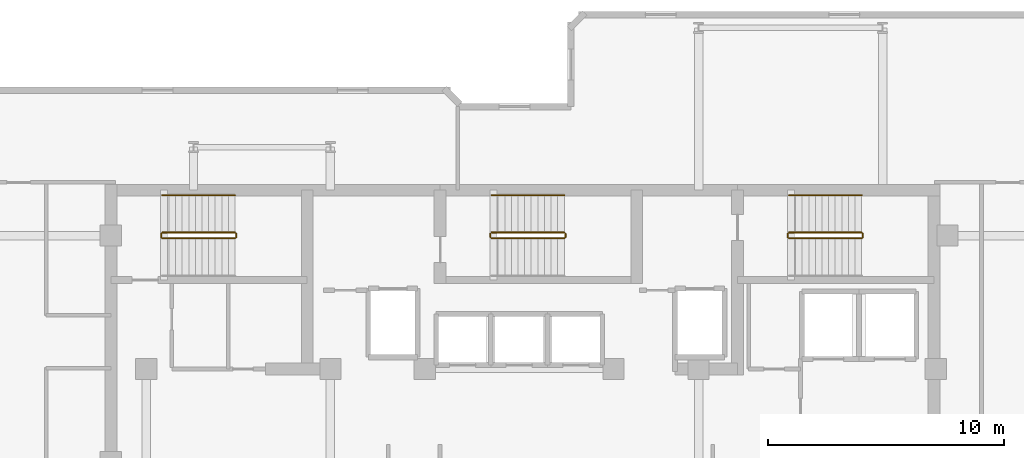
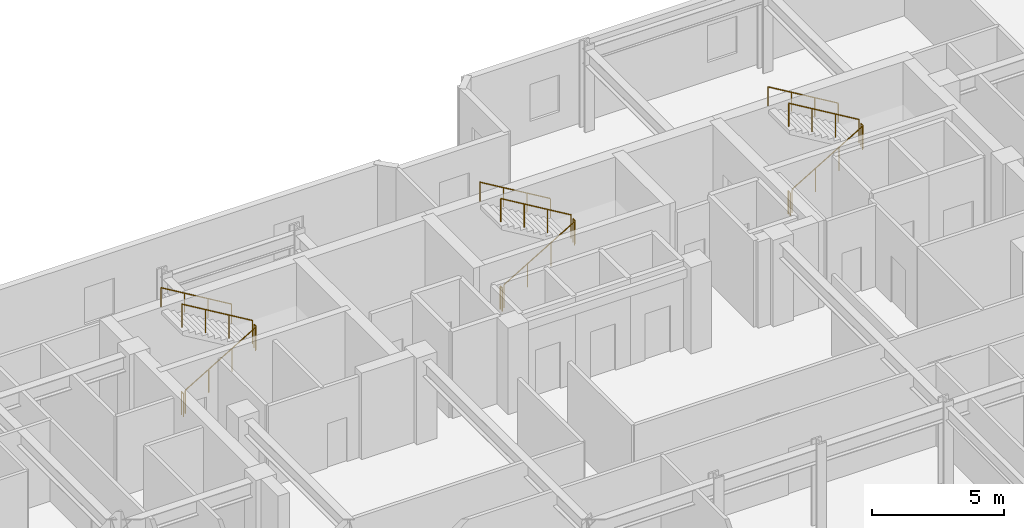
# One storey, part 10 of 10: 15 railings.
"""IFC4 building model written with IfcOpenShell, lengths in metres."""

from ifc_helpers import new_model, si_unit, direction, frame, origin, origin_2d, place, context, subcontext, project, spatial, circle, extrude, material, type_object, element, save


model = new_model("IFC4")

# Units and contexts
model_context = context("Model", 3, precision=1e-05, world=origin(), true_north=direction((0.0, 1.0)))
body_context = subcontext(model_context, "Body", "Model", "MODEL_VIEW")
ifc_project = project(units=[si_unit("LENGTHUNIT", "METRE"), si_unit("AREAUNIT", "SQUARE_METRE"), si_unit("VOLUMEUNIT", "CUBIC_METRE"), si_unit("PLANEANGLEUNIT", "RADIAN"), si_unit("MASSUNIT", "GRAM", prefix="KILO")], contexts=[model_context])

# Site, building, storey
site_placement = place(None, origin())
site = spatial("IfcSite", under=ifc_project, at=site_placement, CompositionType="ELEMENT")
building_placement = place(site_placement, origin())
building = spatial("IfcBuilding", under=site, at=building_placement, Name="Kestravale Grand Hotel", CompositionType="ELEMENT")
storey_placement = place(building_placement, frame((0.0, 0.0, 269.39990234375)))
storey = spatial("IfcBuildingStorey", under=building, at=storey_placement, Name="L67", CompositionType="ELEMENT", Elevation=269.39990234375)

# Railings
ifc_material_1 = material(Name="Painted tubular steel stair well guard", Category="steel")
railing_type_1 = type_object("IfcRailingType", Name="RL-ST-GRD1100", PredefinedType="GUARDRAIL", material=ifc_material_1)
railing_1_placement = place(storey_placement, frame((24.080078125, 38.280029296875, 0.166748046875)))
element("IfcRailing", 1, at=railing_1_placement, inside=storey, type_object=railing_type_1, Name="L67 ST-1 stair guard 1", PredefinedType="GUARDRAIL", context=body_context, shape_type="SweptSolid", body=[
    extrude(circle(Radius=0.02392578125, at=origin_2d()), frame((0.0, 0.0, 1.076171875), z_axis=(0.859290745958, 0.0, 0.51148745235), x_axis=(0.0, 1.0, 0.0)), (0.0, 0.0, 1.0), 3.584228515625),
    extrude(circle(Radius=0.02099609375, at=origin_2d()), origin(), (0.0, 0.0, 1.0), 1.052001953125),
    extrude(circle(Radius=0.02099609375, at=origin_2d()), frame((1.026611328125, 0.0, 0.611083984375)), (0.0, 0.0, 1.0), 1.052001953125),
    extrude(circle(Radius=0.02099609375, at=origin_2d()), frame((2.05322265625, 0.0, 1.22216796875)), (0.0, 0.0, 1.0), 1.052001953125),
    extrude(circle(Radius=0.02099609375, at=origin_2d()), frame((3.079833984375, 0.0, 1.833251953125)), (0.0, 0.0, 1.0), 1.052001953125),
])
railing_2_placement = place(storey_placement, frame((27.2099609375, 38.330078125, 2.0)))
element("IfcRailing", 2, at=railing_2_placement, inside=storey, type_object=railing_type_1, Name="L67 ST-1 stair guard 2", PredefinedType="GUARDRAIL", context=body_context, shape_type="SweptSolid", body=[
    extrude(circle(Radius=0.02392578125, at=origin_2d()), frame((0.0, 0.0, 1.076171875), z_axis=(0.0, 1.0, 0.0), x_axis=(-1.0, 0.0, 0.0)), (0.0, 0.0, 1.0), 0.14990234375),
    extrude(circle(Radius=0.02099609375, at=origin_2d()), origin(), (0.0, 0.0, 1.0), 1.052001953125),
    extrude(circle(Radius=0.02099609375, at=origin_2d()), frame((0.0, 0.14990234375, 0.0)), (0.0, 0.0, 1.0), 1.052001953125),
])
railing_3_placement = place(storey_placement, frame((27.159912109375, 38.530029296875, 2.166748046875)))
element("IfcRailing", 3, at=railing_3_placement, inside=storey, type_object=railing_type_1, Name="L67 ST-1 stair guard 3", PredefinedType="GUARDRAIL", context=body_context, shape_type="SweptSolid", body=[
    extrude(circle(Radius=0.02392578125, at=origin_2d()), frame((0.0, 0.0, 1.076171875), z_axis=(-0.859290745958, 0.0, 0.51148745235), x_axis=(0.0, -1.0, 0.0)), (0.0, 0.0, 1.0), 3.584228515625),
    extrude(circle(Radius=0.02099609375, at=origin_2d()), origin(), (0.0, 0.0, 1.0), 1.052001953125),
    extrude(circle(Radius=0.02099609375, at=origin_2d()), frame((-1.026611328125, 0.0, 0.611083984375)), (0.0, 0.0, 1.0), 1.052001953125),
    extrude(circle(Radius=0.02099609375, at=origin_2d()), frame((-2.05322265625, 0.0, 1.22216796875)), (0.0, 0.0, 1.0), 1.052001953125),
    extrude(circle(Radius=0.02099609375, at=origin_2d()), frame((-3.079833984375, 0.0, 1.833251953125)), (0.0, 0.0, 1.0), 1.052001953125),
])
railing_4_placement = place(storey_placement, frame((24.030029296875, 38.330078125, 0.0)))
element("IfcRailing", 4, at=railing_4_placement, inside=storey, type_object=railing_type_1, Name="L67 ST-1 stair guard 4", PredefinedType="GUARDRAIL", context=body_context, shape_type="SweptSolid", body=[
    extrude(circle(Radius=0.02392578125, at=origin_2d()), frame((0.0, 0.0, 1.076171875), z_axis=(0.0, 1.0, 0.0), x_axis=(-1.0, 0.0, 0.0)), (0.0, 0.0, 1.0), 0.14990234375),
    extrude(circle(Radius=0.02099609375, at=origin_2d()), origin(), (0.0, 0.0, 1.0), 1.052001953125),
    extrude(circle(Radius=0.02099609375, at=origin_2d()), frame((0.0, 0.14990234375, 0.0)), (0.0, 0.0, 1.0), 1.052001953125),
])
railing_5_placement = place(storey_placement, frame((38.030029296875, 38.280029296875, 0.166748046875)))
element("IfcRailing", 5, at=railing_5_placement, inside=storey, type_object=railing_type_1, Name="L67 ST-2 stair guard 1", PredefinedType="GUARDRAIL", context=body_context, shape_type="SweptSolid", body=[
    extrude(circle(Radius=0.02392578125, at=origin_2d()), frame((0.0, 0.0, 1.076171875), z_axis=(0.859308565015, 0.0, 0.511457515432), x_axis=(0.0, 1.0, 0.0)), (0.0, 0.0, 1.0), 3.58447265625),
    extrude(circle(Radius=0.02099609375, at=origin_2d()), origin(), (0.0, 0.0, 1.0), 1.052001953125),
    extrude(circle(Radius=0.02099609375, at=origin_2d()), frame((1.026611328125, 0.0, 0.611083984375)), (0.0, 0.0, 1.0), 1.052001953125),
    extrude(circle(Radius=0.02099609375, at=origin_2d()), frame((2.053466796875, 0.0, 1.22216796875)), (0.0, 0.0, 1.0), 1.052001953125),
    extrude(circle(Radius=0.02099609375, at=origin_2d()), frame((3.080078125, 0.0, 1.833251953125)), (0.0, 0.0, 1.0), 1.052001953125),
])
railing_6_placement = place(storey_placement, frame((41.159912109375, 38.330078125, 2.0)))
element("IfcRailing", 6, at=railing_6_placement, inside=storey, type_object=railing_type_1, Name="L67 ST-2 stair guard 2", PredefinedType="GUARDRAIL", context=body_context, shape_type="SweptSolid", body=[
    extrude(circle(Radius=0.02392578125, at=origin_2d()), frame((0.0, 0.0, 1.076171875), z_axis=(0.0, 1.0, 0.0), x_axis=(-1.0, 0.0, 0.0)), (0.0, 0.0, 1.0), 0.14990234375),
    extrude(circle(Radius=0.02099609375, at=origin_2d()), origin(), (0.0, 0.0, 1.0), 1.052001953125),
    extrude(circle(Radius=0.02099609375, at=origin_2d()), frame((0.0, 0.14990234375, 0.0)), (0.0, 0.0, 1.0), 1.052001953125),
])
railing_7_placement = place(storey_placement, frame((41.110107421875, 38.530029296875, 2.166748046875)))
element("IfcRailing", 7, at=railing_7_placement, inside=storey, type_object=railing_type_1, Name="L67 ST-2 stair guard 3", PredefinedType="GUARDRAIL", context=body_context, shape_type="SweptSolid", body=[
    extrude(circle(Radius=0.02392578125, at=origin_2d()), frame((0.0, 0.0, 1.076171875), z_axis=(-0.859308565015, 0.0, 0.511457515432), x_axis=(0.0, -1.0, 0.0)), (0.0, 0.0, 1.0), 3.58447265625),
    extrude(circle(Radius=0.02099609375, at=origin_2d()), origin(), (0.0, 0.0, 1.0), 1.052001953125),
    extrude(circle(Radius=0.02099609375, at=origin_2d()), frame((-1.026611328125, 0.0, 0.611083984375)), (0.0, 0.0, 1.0), 1.052001953125),
    extrude(circle(Radius=0.02099609375, at=origin_2d()), frame((-2.053466796875, 0.0, 1.22216796875)), (0.0, 0.0, 1.0), 1.052001953125),
    extrude(circle(Radius=0.02099609375, at=origin_2d()), frame((-3.080078125, 0.0, 1.833251953125)), (0.0, 0.0, 1.0), 1.052001953125),
])
railing_8_placement = place(storey_placement, frame((37.97998046875, 38.330078125, 0.0)))
element("IfcRailing", 8, at=railing_8_placement, inside=storey, type_object=railing_type_1, Name="L67 ST-2 stair guard 4", PredefinedType="GUARDRAIL", context=body_context, shape_type="SweptSolid", body=[
    extrude(circle(Radius=0.02392578125, at=origin_2d()), frame((0.0, 0.0, 1.076171875), z_axis=(0.0, 1.0, 0.0), x_axis=(-1.0, 0.0, 0.0)), (0.0, 0.0, 1.0), 0.14990234375),
    extrude(circle(Radius=0.02099609375, at=origin_2d()), origin(), (0.0, 0.0, 1.0), 1.052001953125),
    extrude(circle(Radius=0.02099609375, at=origin_2d()), frame((0.0, 0.14990234375, 0.0)), (0.0, 0.0, 1.0), 1.052001953125),
])
railing_9_placement = place(storey_placement, frame((50.6298828125, 38.280029296875, 0.166748046875)))
element("IfcRailing", 9, at=railing_9_placement, inside=storey, type_object=railing_type_1, Name="L67 ST-3 stair guard 1", PredefinedType="GUARDRAIL", context=body_context, shape_type="SweptSolid", body=[
    extrude(circle(Radius=0.02392578125, at=origin_2d()), frame((0.0, 0.0, 1.076171875), z_axis=(0.859308565015, 0.0, 0.511457515432), x_axis=(0.0, 1.0, 0.0)), (0.0, 0.0, 1.0), 3.58447265625),
    extrude(circle(Radius=0.02099609375, at=origin_2d()), origin(), (0.0, 0.0, 1.0), 1.052001953125),
    extrude(circle(Radius=0.02099609375, at=origin_2d()), frame((1.026611328125, 0.0, 0.611083984375)), (0.0, 0.0, 1.0), 1.052001953125),
    extrude(circle(Radius=0.02099609375, at=origin_2d()), frame((2.053466796875, 0.0, 1.22216796875)), (0.0, 0.0, 1.0), 1.052001953125),
    extrude(circle(Radius=0.02099609375, at=origin_2d()), frame((3.080078125, 0.0, 1.833251953125)), (0.0, 0.0, 1.0), 1.052001953125),
])
railing_10_placement = place(storey_placement, frame((53.760009765625, 38.330078125, 2.0)))
element("IfcRailing", 10, at=railing_10_placement, inside=storey, type_object=railing_type_1, Name="L67 ST-3 stair guard 2", PredefinedType="GUARDRAIL", context=body_context, shape_type="SweptSolid", body=[
    extrude(circle(Radius=0.02392578125, at=origin_2d()), frame((0.0, 0.0, 1.076171875), z_axis=(0.0, 1.0, 0.0), x_axis=(-1.0, 0.0, 0.0)), (0.0, 0.0, 1.0), 0.14990234375),
    extrude(circle(Radius=0.02099609375, at=origin_2d()), origin(), (0.0, 0.0, 1.0), 1.052001953125),
    extrude(circle(Radius=0.02099609375, at=origin_2d()), frame((0.0, 0.14990234375, 0.0)), (0.0, 0.0, 1.0), 1.052001953125),
])
railing_11_placement = place(storey_placement, frame((53.7099609375, 38.530029296875, 2.166748046875)))
element("IfcRailing", 11, at=railing_11_placement, inside=storey, type_object=railing_type_1, Name="L67 ST-3 stair guard 3", PredefinedType="GUARDRAIL", context=body_context, shape_type="SweptSolid", body=[
    extrude(circle(Radius=0.02392578125, at=origin_2d()), frame((0.0, 0.0, 1.076171875), z_axis=(-0.859308565015, 0.0, 0.511457515432), x_axis=(0.0, -1.0, 0.0)), (0.0, 0.0, 1.0), 3.58447265625),
    extrude(circle(Radius=0.02099609375, at=origin_2d()), origin(), (0.0, 0.0, 1.0), 1.052001953125),
    extrude(circle(Radius=0.02099609375, at=origin_2d()), frame((-1.026611328125, 0.0, 0.611083984375)), (0.0, 0.0, 1.0), 1.052001953125),
    extrude(circle(Radius=0.02099609375, at=origin_2d()), frame((-2.053466796875, 0.0, 1.22216796875)), (0.0, 0.0, 1.0), 1.052001953125),
    extrude(circle(Radius=0.02099609375, at=origin_2d()), frame((-3.080078125, 0.0, 1.833251953125)), (0.0, 0.0, 1.0), 1.052001953125),
])
railing_12_placement = place(storey_placement, frame((50.580078125, 38.330078125, 0.0)))
element("IfcRailing", 12, at=railing_12_placement, inside=storey, type_object=railing_type_1, Name="L67 ST-3 stair guard 4", PredefinedType="GUARDRAIL", context=body_context, shape_type="SweptSolid", body=[
    extrude(circle(Radius=0.02392578125, at=origin_2d()), frame((0.0, 0.0, 1.076171875), z_axis=(0.0, 1.0, 0.0), x_axis=(-1.0, 0.0, 0.0)), (0.0, 0.0, 1.0), 0.14990234375),
    extrude(circle(Radius=0.02099609375, at=origin_2d()), origin(), (0.0, 0.0, 1.0), 1.052001953125),
    extrude(circle(Radius=0.02099609375, at=origin_2d()), frame((0.0, 0.14990234375, 0.0)), (0.0, 0.0, 1.0), 1.052001953125),
])
ifc_material_2 = material(Name="Brushed stainless steel wall handrail", Category="steel")
railing_type_2 = type_object("IfcRailingType", Name="RL-ST-HND900", PredefinedType="HANDRAIL", material=ifc_material_2)
railing_13_placement = place(storey_placement, frame((27.159912109375, 40.110107421875, 2.166748046875)))
element("IfcRailing", 13, at=railing_13_placement, inside=storey, type_object=railing_type_2, Name="L67 ST-1 stair handrail 2", PredefinedType="HANDRAIL", context=body_context, shape_type="SweptSolid", body=[
    extrude(circle(Radius=0.02392578125, at=origin_2d()), frame((0.0, 0.0, 0.8759765625), z_axis=(-0.859290745958, 0.0, 0.51148745235), x_axis=(0.0, -1.0, 0.0)), (0.0, 0.0, 1.0), 3.584228515625),
    extrude(circle(Radius=0.02099609375, at=origin_2d()), origin(), (0.0, 0.0, 1.0), 0.851806640625),
    extrude(circle(Radius=0.02099609375, at=origin_2d()), frame((-1.026611328125, 0.0, 0.611083984375)), (0.0, 0.0, 1.0), 0.851806640625),
    extrude(circle(Radius=0.02099609375, at=origin_2d()), frame((-2.05322265625, 0.0, 1.22216796875)), (0.0, 0.0, 1.0), 0.851806640625),
    extrude(circle(Radius=0.02099609375, at=origin_2d()), frame((-3.079833984375, 0.0, 1.833251953125)), (0.0, 0.0, 1.0), 0.851806640625),
])
for number, where, name in (
    (14, (41.110107421875, 40.110107421875, 2.166748046875), "L67 ST-2 stair handrail 2"),
    (15, (53.7099609375, 40.110107421875, 2.166748046875), "L67 ST-3 stair handrail 2"),
):
    element("IfcRailing", number, at=place(storey_placement, frame(where)), inside=storey, type_object=railing_type_2, Name=name, PredefinedType="HANDRAIL", context=body_context, shape_type="SweptSolid", body=[
        extrude(circle(Radius=0.02392578125, at=origin_2d()), frame((0.0, 0.0, 0.8759765625), z_axis=(-0.859308565015, 0.0, 0.511457515432), x_axis=(0.0, -1.0, 0.0)), (0.0, 0.0, 1.0), 3.58447265625),
        extrude(circle(Radius=0.02099609375, at=origin_2d()), origin(), (0.0, 0.0, 1.0), 0.851806640625),
        extrude(circle(Radius=0.02099609375, at=origin_2d()), frame((-1.026611328125, 0.0, 0.611083984375)), (0.0, 0.0, 1.0), 0.851806640625),
        extrude(circle(Radius=0.02099609375, at=origin_2d()), frame((-2.053466796875, 0.0, 1.22216796875)), (0.0, 0.0, 1.0), 0.851806640625),
        extrude(circle(Radius=0.02099609375, at=origin_2d()), frame((-3.080078125, 0.0, 1.833251953125)), (0.0, 0.0, 1.0), 0.851806640625),
    ])

save(model, "model.ifc")
